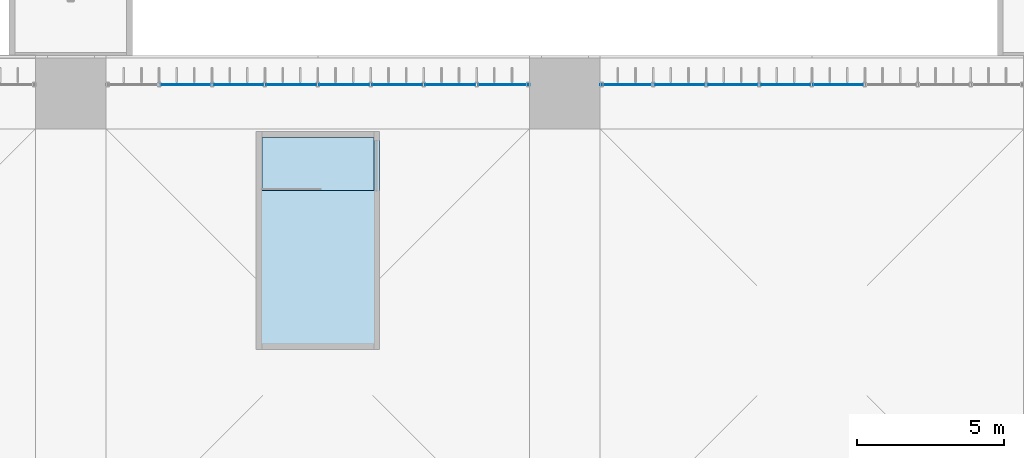
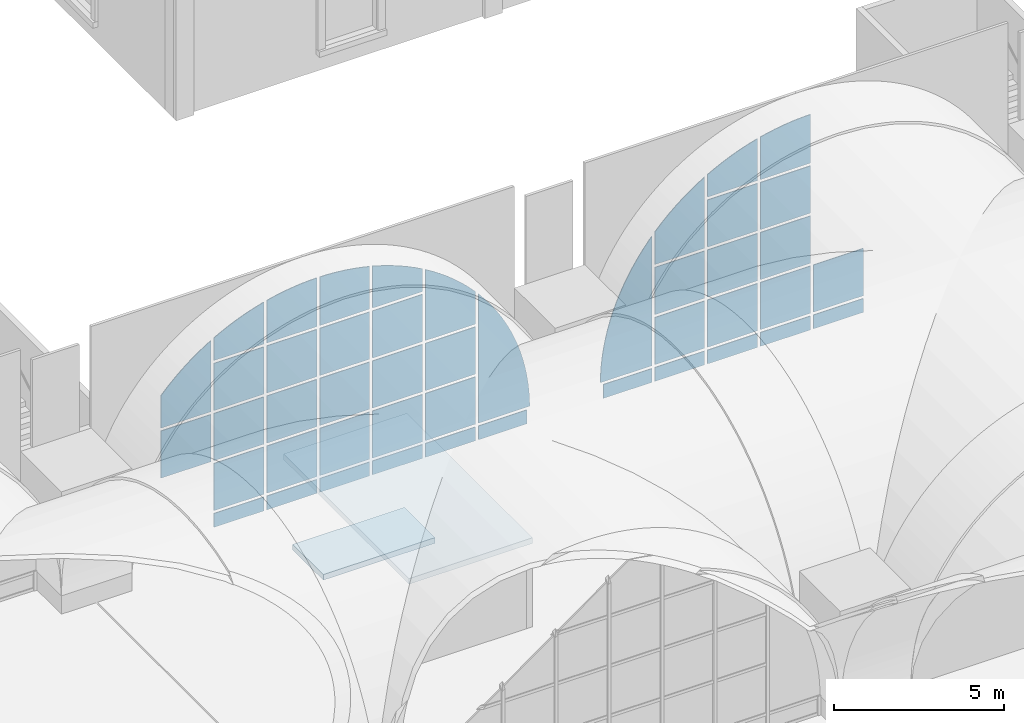
# One storey, part 86 of 169: 46 plates, 2 slabs, 2 elements without a shape of their own.
"""IFC4 building model written with IfcOpenShell, lengths in metres."""

from ifc_helpers import new_model, si_unit, direction, frame, origin, place, context, subcontext, project, spatial, polyline, outline, extrude, material, layer, layer_set, type_object, element, aggregate, save


model = new_model("IFC4")

# Units and contexts
model_context = context("Model", 3, precision=1e-05, world=origin(), true_north=direction((0.0, 1.0)))
body_context = subcontext(model_context, "Body", "Model", "MODEL_VIEW")
ifc_project = project(units=[si_unit("LENGTHUNIT", "METRE"), si_unit("AREAUNIT", "SQUARE_METRE"), si_unit("VOLUMEUNIT", "CUBIC_METRE"), si_unit("PLANEANGLEUNIT", "RADIAN"), si_unit("MASSUNIT", "GRAM", prefix="KILO")], contexts=[model_context])

# Site, building, storey
site_placement = place(None, origin())
site = spatial("IfcSite", under=ifc_project, at=site_placement, CompositionType="ELEMENT")
building_placement = place(site_placement, origin())
building = spatial("IfcBuilding", under=site, at=building_placement, Name="Verrick Yard Athletic Hall", CompositionType="ELEMENT")
storey_placement = place(building_placement, frame((0.0, 0.0, 4.39990234375)))
storey = spatial("IfcBuildingStorey", under=building, at=storey_placement, Name="L01", CompositionType="ELEMENT", Elevation=4.39990234375)

# Slabs
ifc_material_1 = material(Name="Concrete 35 MPa", Category="concrete")
ifc_layer_1 = layer(ifc_material_1, 0.199951171875)
ifc_layer_set_1 = layer_set([ifc_layer_1], Name="Core floor slab 200")
slab_type_1 = type_object("IfcSlabType", Name="Core floor slab 200", PredefinedType="FLOOR", material=ifc_layer_set_1)
slab_1_placement = place(storey_placement, frame((0.0, 0.0, -0.199951171875)))
element("IfcSlab", 1, at=slab_1_placement, inside=storey, type_object=slab_type_1, Name="CORE-PS-N2-NL-L01", PredefinedType="FLOOR", context=body_context, shape_type="SweptSolid", body=[
    extrude(outline(polyline([(80.10009765625, 51.300048828125), (80.10009765625, 49.5), (83.89990234375, 49.5), (83.89990234375, 51.300048828125), (80.10009765625, 51.300048828125)])), origin(), (0.0, 0.0, 1.0), 0.199951171875),
])
ifc_layer_2 = layer(ifc_material_1, 0.199951171875)
ifc_layer_set_2 = layer_set([ifc_layer_2], Name="Core roof slab 200")
slab_type_2 = type_object("IfcSlabType", Name="Core roof slab 200", PredefinedType="ROOF", material=ifc_layer_set_2)
slab_2_placement = place(storey_placement, frame((0.0, 0.0, 3.0)))
element("IfcSlab", 2, at=slab_2_placement, inside=storey, type_object=slab_type_2, Name="CORE-PS-N2-COVER", PredefinedType="ROOF", context=body_context, shape_type="SweptSolid", body=[
    extrude(outline(polyline([(79.89990234375, 44.10009765625), (84.10009765625, 44.10009765625), (84.10009765625, 51.5), (79.89990234375, 51.5), (79.89990234375, 44.10009765625)])), origin(), (0.0, 0.0, 1.0), 0.2001953125),
])

# Curtain wall, plates
ifc_material_2 = material(Name="Aluminium and glass curtain wall", Category="aluminium")
ifc_layer_3 = layer(ifc_material_2, 0.14990234375)
ifc_layer_set_3 = layer_set([ifc_layer_3], Name="Arcade glazing arch")
curtain_wall_type = type_object("IfcCurtainWallType", Name="Arcade glazing arch", PredefinedType="NOTDEFINED", material=ifc_layer_set_3)
curtain_wall_1_placement = place(storey_placement, origin())
curtain_wall_1 = element("IfcCurtainWall", 3, at=curtain_wall_1_placement, inside=storey, type_object=curtain_wall_type, Name="Arcade glazing N3", PredefinedType="NOTDEFINED")
ifc_material_3 = material(Name="Laminated glass 28 mm", Category="glass")
ifc_layer_4 = layer(ifc_material_3, 0.028076171875)
ifc_layer_set_4 = layer_set([ifc_layer_4], Name="Curtain wall glass panel")
plate_type = type_object("IfcPlateType", Name="Curtain wall glass panel", PredefinedType="CURTAIN_PANEL", material=ifc_layer_set_4)
plate_1_placement = place(storey_placement, frame((74.800048828125, 53.10009765625, 2.5009765625), z_axis=(0.0, 0.0, 1.0), x_axis=(1.0, 0.0, 0.0)))
plate_1 = element("IfcPlate", 4, at=plate_1_placement, type_object=plate_type, Name="Arcade glazing N3 panel 5", PredefinedType="CURTAIN_PANEL", context=body_context, shape_type="SweptSolid", body=[
    extrude(outline(polyline([(3.54931640625, 0.0), (3.54931640625, 1.6982421875), (1.850830078125, 1.6982421875), (1.850830078125, 0.0), (3.54931640625, 0.0)])), frame((0.0, 0.01416015625, 0.0), z_axis=(0.0, -1.0, 0.0), x_axis=(1.0, 0.0, 0.0)), (0.0, 0.0, 1.0), 0.028076171875),
])
plate_2_placement = place(storey_placement, frame((74.800048828125, 53.10009765625, 4.30078125), z_axis=(0.0, 0.0, 1.0), x_axis=(1.0, 0.0, 0.0)))
plate_2 = element("IfcPlate", 5, at=plate_2_placement, type_object=plate_type, Name="Arcade glazing N3 panel 6", PredefinedType="CURTAIN_PANEL", context=body_context, shape_type="SweptSolid", body=[
    extrude(outline(polyline([(3.54931640625, 2.553955078125), (3.331298828125, 2.421630859375), (3.0703125, 2.247314453125), (2.81689453125, 2.0615234375), (2.572021484375, 1.86474609375), (2.335693359375, 1.65771484375), (2.10888671875, 1.4404296875), (1.8916015625, 1.213623046875), (1.850830078125, 1.1669921875), (1.850830078125, 0.0), (3.54931640625, 0.0), (3.54931640625, 2.553955078125)])), frame((0.0, 0.01416015625, 0.0), z_axis=(0.0, -1.0, 0.0), x_axis=(1.0, 0.0, 0.0)), (0.0, 0.0, 1.0), 0.028076171875),
])
plate_3_placement = place(storey_placement, frame((74.800048828125, 53.10009765625, 0.101806640625), z_axis=(0.0, 0.0, 1.0), x_axis=(1.0, 0.0, 0.0)))
plate_3 = element("IfcPlate", 6, at=plate_3_placement, type_object=plate_type, Name="Arcade glazing N3 panel 7", PredefinedType="CURTAIN_PANEL", context=body_context, shape_type="SweptSolid", body=[
    extrude(outline(polyline([(5.34912109375, 0.0), (5.34912109375, 0.49755859375), (3.65087890625, 0.49755859375), (3.65087890625, 0.0), (5.34912109375, 0.0)])), frame((0.0, 0.01416015625, 0.0), z_axis=(0.0, -1.0, 0.0), x_axis=(1.0, 0.0, 0.0)), (0.0, 0.0, 1.0), 0.028076171875),
])
plate_4_placement = place(storey_placement, frame((74.800048828125, 53.10009765625, 0.700927734375), z_axis=(0.0, 0.0, 1.0), x_axis=(1.0, 0.0, 0.0)))
plate_4 = element("IfcPlate", 7, at=plate_4_placement, type_object=plate_type, Name="Arcade glazing N3 panel 8", PredefinedType="CURTAIN_PANEL", context=body_context, shape_type="SweptSolid", body=[
    extrude(outline(polyline([(5.34912109375, 0.0), (5.34912109375, 1.698486328125), (3.65087890625, 1.698486328125), (3.65087890625, 0.0), (5.34912109375, 0.0)])), frame((0.0, 0.01416015625, 0.0), z_axis=(0.0, -1.0, 0.0), x_axis=(1.0, 0.0, 0.0)), (0.0, 0.0, 1.0), 0.028076171875),
])
plate_5_placement = place(storey_placement, frame((74.800048828125, 53.10009765625, 2.5009765625), z_axis=(0.0, 0.0, 1.0), x_axis=(1.0, 0.0, 0.0)))
plate_5 = element("IfcPlate", 8, at=plate_5_placement, type_object=plate_type, Name="Arcade glazing N3 panel 9", PredefinedType="CURTAIN_PANEL", context=body_context, shape_type="SweptSolid", body=[
    extrude(outline(polyline([(5.34912109375, 0.0), (5.34912109375, 1.6982421875), (3.65087890625, 1.6982421875), (3.65087890625, 0.0), (5.34912109375, 0.0)])), frame((0.0, 0.01416015625, 0.0), z_axis=(0.0, -1.0, 0.0), x_axis=(1.0, 0.0, 0.0)), (0.0, 0.0, 1.0), 0.028076171875),
])
plate_6_placement = place(storey_placement, frame((74.800048828125, 53.10009765625, 4.30078125), z_axis=(0.0, 0.0, 1.0), x_axis=(1.0, 0.0, 0.0)))
plate_6 = element("IfcPlate", 9, at=plate_6_placement, type_object=plate_type, Name="Arcade glazing N3 panel 10", PredefinedType="CURTAIN_PANEL", context=body_context, shape_type="SweptSolid", body=[
    extrude(outline(polyline([(5.34912109375, 0.0), (5.34912109375, 1.698486328125), (3.65087890625, 1.698486328125), (3.65087890625, 0.0), (5.34912109375, 0.0)])), frame((0.0, 0.01416015625, 0.0), z_axis=(0.0, -1.0, 0.0), x_axis=(1.0, 0.0, 0.0)), (0.0, 0.0, 1.0), 0.028076171875),
])
plate_7_placement = place(storey_placement, frame((74.800048828125, 53.10009765625, 6.100830078125), z_axis=(0.0, 0.0, 1.0), x_axis=(1.0, 0.0, 0.0)))
plate_7 = element("IfcPlate", 10, at=plate_7_placement, type_object=plate_type, Name="Arcade glazing N3 panel 11", PredefinedType="CURTAIN_PANEL", context=body_context, shape_type="SweptSolid", body=[
    extrude(outline(polyline([(5.34912109375, 1.507080078125), (5.33642578125, 1.50390625), (5.034912109375, 1.416015625), (4.737548828125, 1.315185546875), (4.444580078125, 1.201171875), (4.156982421875, 1.07470703125), (3.87548828125, 0.935791015625), (3.65087890625, 0.8125), (3.65087890625, 0.0), (5.34912109375, 0.0), (5.34912109375, 1.507080078125)])), frame((0.0, 0.01416015625, 0.0), z_axis=(0.0, -1.0, 0.0), x_axis=(1.0, 0.0, 0.0)), (0.0, 0.0, 1.0), 0.028076171875),
])
plate_8_placement = place(storey_placement, frame((74.800048828125, 53.10009765625, 0.101806640625), z_axis=(0.0, 0.0, 1.0), x_axis=(1.0, 0.0, 0.0)))
plate_8 = element("IfcPlate", 11, at=plate_8_placement, type_object=plate_type, Name="Arcade glazing N3 panel 12", PredefinedType="CURTAIN_PANEL", context=body_context, shape_type="SweptSolid", body=[
    extrude(outline(polyline([(7.149169921875, 0.0), (7.149169921875, 0.49755859375), (5.45068359375, 0.49755859375), (5.45068359375, 0.0), (7.149169921875, 0.0)])), frame((0.0, 0.01416015625, 0.0), z_axis=(0.0, -1.0, 0.0), x_axis=(1.0, 0.0, 0.0)), (0.0, 0.0, 1.0), 0.028076171875),
])
plate_9_placement = place(storey_placement, frame((74.800048828125, 53.10009765625, 0.700927734375), z_axis=(0.0, 0.0, 1.0), x_axis=(1.0, 0.0, 0.0)))
plate_9 = element("IfcPlate", 12, at=plate_9_placement, type_object=plate_type, Name="Arcade glazing N3 panel 13", PredefinedType="CURTAIN_PANEL", context=body_context, shape_type="SweptSolid", body=[
    extrude(outline(polyline([(7.149169921875, 0.0), (7.149169921875, 1.698486328125), (5.45068359375, 1.698486328125), (5.45068359375, 0.0), (7.149169921875, 0.0)])), frame((0.0, 0.01416015625, 0.0), z_axis=(0.0, -1.0, 0.0), x_axis=(1.0, 0.0, 0.0)), (0.0, 0.0, 1.0), 0.028076171875),
])
plate_10_placement = place(storey_placement, frame((74.800048828125, 53.10009765625, 2.5009765625), z_axis=(0.0, 0.0, 1.0), x_axis=(1.0, 0.0, 0.0)))
plate_10 = element("IfcPlate", 13, at=plate_10_placement, type_object=plate_type, Name="Arcade glazing N3 panel 14", PredefinedType="CURTAIN_PANEL", context=body_context, shape_type="SweptSolid", body=[
    extrude(outline(polyline([(7.149169921875, 0.0), (7.149169921875, 1.6982421875), (5.45068359375, 1.6982421875), (5.45068359375, 0.0), (7.149169921875, 0.0)])), frame((0.0, 0.01416015625, 0.0), z_axis=(0.0, -1.0, 0.0), x_axis=(1.0, 0.0, 0.0)), (0.0, 0.0, 1.0), 0.028076171875),
])
plate_11_placement = place(storey_placement, frame((74.800048828125, 53.10009765625, 4.30078125), z_axis=(0.0, 0.0, 1.0), x_axis=(1.0, 0.0, 0.0)))
plate_11 = element("IfcPlate", 14, at=plate_11_placement, type_object=plate_type, Name="Arcade glazing N3 panel 15", PredefinedType="CURTAIN_PANEL", context=body_context, shape_type="SweptSolid", body=[
    extrude(outline(polyline([(7.149169921875, 0.0), (7.149169921875, 1.698486328125), (5.45068359375, 1.698486328125), (5.45068359375, 0.0), (7.149169921875, 0.0)])), frame((0.0, 0.01416015625, 0.0), z_axis=(0.0, -1.0, 0.0), x_axis=(1.0, 0.0, 0.0)), (0.0, 0.0, 1.0), 0.028076171875),
])
plate_12_placement = place(storey_placement, frame((74.800048828125, 53.10009765625, 6.100830078125), z_axis=(0.0, 0.0, 1.0), x_axis=(1.0, 0.0, 0.0)))
plate_12 = element("IfcPlate", 15, at=plate_12_placement, type_object=plate_type, Name="Arcade glazing N3 panel 16", PredefinedType="CURTAIN_PANEL", context=body_context, shape_type="SweptSolid", body=[
    extrude(outline(polyline([(7.149169921875, 1.748046875), (6.885986328125, 1.742431640625), (6.572509765625, 1.721923828125), (6.26025390625, 1.687744140625), (5.94970703125, 1.639892578125), (5.6416015625, 1.57861328125), (5.45068359375, 1.531982421875), (5.45068359375, 0.0), (7.149169921875, 0.0), (7.149169921875, 1.748046875)])), frame((0.0, 0.01416015625, 0.0), z_axis=(0.0, -1.0, 0.0), x_axis=(1.0, 0.0, 0.0)), (0.0, 0.0, 1.0), 0.028076171875),
])
plate_13_placement = place(storey_placement, frame((74.800048828125, 53.10009765625, 0.101806640625), z_axis=(0.0, 0.0, 1.0), x_axis=(1.0, 0.0, 0.0)))
plate_13 = element("IfcPlate", 16, at=plate_13_placement, type_object=plate_type, Name="Arcade glazing N3 panel 17", PredefinedType="CURTAIN_PANEL", context=body_context, shape_type="SweptSolid", body=[
    extrude(outline(polyline([(8.94921875, 0.0), (8.94921875, 0.49755859375), (7.250732421875, 0.49755859375), (7.250732421875, 0.0), (8.94921875, 0.0)])), frame((0.0, 0.01416015625, 0.0), z_axis=(0.0, -1.0, 0.0), x_axis=(1.0, 0.0, 0.0)), (0.0, 0.0, 1.0), 0.028076171875),
])
plate_14_placement = place(storey_placement, frame((74.800048828125, 53.10009765625, 0.700927734375), z_axis=(0.0, 0.0, 1.0), x_axis=(1.0, 0.0, 0.0)))
plate_14 = element("IfcPlate", 17, at=plate_14_placement, type_object=plate_type, Name="Arcade glazing N3 panel 18", PredefinedType="CURTAIN_PANEL", context=body_context, shape_type="SweptSolid", body=[
    extrude(outline(polyline([(8.94921875, 0.0), (8.94921875, 1.698486328125), (7.250732421875, 1.698486328125), (7.250732421875, 0.0), (8.94921875, 0.0)])), frame((0.0, 0.01416015625, 0.0), z_axis=(0.0, -1.0, 0.0), x_axis=(1.0, 0.0, 0.0)), (0.0, 0.0, 1.0), 0.028076171875),
])
plate_15_placement = place(storey_placement, frame((74.800048828125, 53.10009765625, 2.5009765625), z_axis=(0.0, 0.0, 1.0), x_axis=(1.0, 0.0, 0.0)))
plate_15 = element("IfcPlate", 18, at=plate_15_placement, type_object=plate_type, Name="Arcade glazing N3 panel 19", PredefinedType="CURTAIN_PANEL", context=body_context, shape_type="SweptSolid", body=[
    extrude(outline(polyline([(8.94921875, 0.0), (8.94921875, 1.6982421875), (7.250732421875, 1.6982421875), (7.250732421875, 0.0), (8.94921875, 0.0)])), frame((0.0, 0.01416015625, 0.0), z_axis=(0.0, -1.0, 0.0), x_axis=(1.0, 0.0, 0.0)), (0.0, 0.0, 1.0), 0.028076171875),
])
plate_16_placement = place(storey_placement, frame((74.800048828125, 53.10009765625, 4.30078125), z_axis=(0.0, 0.0, 1.0), x_axis=(1.0, 0.0, 0.0)))
plate_16 = element("IfcPlate", 19, at=plate_16_placement, type_object=plate_type, Name="Arcade glazing N3 panel 20", PredefinedType="CURTAIN_PANEL", context=body_context, shape_type="SweptSolid", body=[
    extrude(outline(polyline([(8.94921875, 0.0), (8.94921875, 1.698486328125), (7.250732421875, 1.698486328125), (7.250732421875, 0.0), (8.94921875, 0.0)])), frame((0.0, 0.01416015625, 0.0), z_axis=(0.0, -1.0, 0.0), x_axis=(1.0, 0.0, 0.0)), (0.0, 0.0, 1.0), 0.028076171875),
])
plate_17_placement = place(storey_placement, frame((74.800048828125, 53.10009765625, 6.100830078125), z_axis=(0.0, 0.0, 1.0), x_axis=(1.0, 0.0, 0.0)))
plate_17 = element("IfcPlate", 20, at=plate_17_placement, type_object=plate_type, Name="Arcade glazing N3 panel 21", PredefinedType="CURTAIN_PANEL", context=body_context, shape_type="SweptSolid", body=[
    extrude(outline(polyline([(8.94921875, 1.531982421875), (8.75830078125, 1.57861328125), (8.4501953125, 1.639892578125), (8.139892578125, 1.687744140625), (7.827392578125, 1.721923828125), (7.51416015625, 1.742431640625), (7.250732421875, 1.748046875), (7.250732421875, 0.0), (8.94921875, 0.0), (8.94921875, 1.531982421875)])), frame((0.0, 0.01416015625, 0.0), z_axis=(0.0, -1.0, 0.0), x_axis=(1.0, 0.0, 0.0)), (0.0, 0.0, 1.0), 0.028076171875),
])
plate_18_placement = place(storey_placement, frame((74.800048828125, 53.10009765625, 0.101806640625), z_axis=(0.0, 0.0, 1.0), x_axis=(1.0, 0.0, 0.0)))
plate_18 = element("IfcPlate", 21, at=plate_18_placement, type_object=plate_type, Name="Arcade glazing N3 panel 22", PredefinedType="CURTAIN_PANEL", context=body_context, shape_type="SweptSolid", body=[
    extrude(outline(polyline([(10.749267578125, 0.0), (10.749267578125, 0.49755859375), (9.05078125, 0.49755859375), (9.05078125, 0.0), (10.749267578125, 0.0)])), frame((0.0, 0.01416015625, 0.0), z_axis=(0.0, -1.0, 0.0), x_axis=(1.0, 0.0, 0.0)), (0.0, 0.0, 1.0), 0.028076171875),
])
plate_19_placement = place(storey_placement, frame((74.800048828125, 53.10009765625, 0.700927734375), z_axis=(0.0, 0.0, 1.0), x_axis=(1.0, 0.0, 0.0)))
plate_19 = element("IfcPlate", 22, at=plate_19_placement, type_object=plate_type, Name="Arcade glazing N3 panel 23", PredefinedType="CURTAIN_PANEL", context=body_context, shape_type="SweptSolid", body=[
    extrude(outline(polyline([(10.749267578125, 0.0), (10.749267578125, 1.698486328125), (9.05078125, 1.698486328125), (9.05078125, 0.0), (10.749267578125, 0.0)])), frame((0.0, 0.01416015625, 0.0), z_axis=(0.0, -1.0, 0.0), x_axis=(1.0, 0.0, 0.0)), (0.0, 0.0, 1.0), 0.028076171875),
])
plate_20_placement = place(storey_placement, frame((74.800048828125, 53.10009765625, 2.5009765625), z_axis=(0.0, 0.0, 1.0), x_axis=(1.0, 0.0, 0.0)))
plate_20 = element("IfcPlate", 23, at=plate_20_placement, type_object=plate_type, Name="Arcade glazing N3 panel 24", PredefinedType="CURTAIN_PANEL", context=body_context, shape_type="SweptSolid", body=[
    extrude(outline(polyline([(10.749267578125, 0.0), (10.749267578125, 1.6982421875), (9.05078125, 1.6982421875), (9.05078125, 0.0), (10.749267578125, 0.0)])), frame((0.0, 0.01416015625, 0.0), z_axis=(0.0, -1.0, 0.0), x_axis=(1.0, 0.0, 0.0)), (0.0, 0.0, 1.0), 0.028076171875),
])
plate_21_placement = place(storey_placement, frame((74.800048828125, 53.10009765625, 4.30078125), z_axis=(0.0, 0.0, 1.0), x_axis=(1.0, 0.0, 0.0)))
plate_21 = element("IfcPlate", 24, at=plate_21_placement, type_object=plate_type, Name="Arcade glazing N3 panel 25", PredefinedType="CURTAIN_PANEL", context=body_context, shape_type="SweptSolid", body=[
    extrude(outline(polyline([(10.749267578125, 0.0), (10.749267578125, 1.698486328125), (9.05078125, 1.698486328125), (9.05078125, 0.0), (10.749267578125, 0.0)])), frame((0.0, 0.01416015625, 0.0), z_axis=(0.0, -1.0, 0.0), x_axis=(1.0, 0.0, 0.0)), (0.0, 0.0, 1.0), 0.028076171875),
])
plate_22_placement = place(storey_placement, frame((74.800048828125, 53.10009765625, 6.100830078125), z_axis=(0.0, 0.0, 1.0), x_axis=(1.0, 0.0, 0.0)))
plate_22 = element("IfcPlate", 25, at=plate_22_placement, type_object=plate_type, Name="Arcade glazing N3 panel 26", PredefinedType="CURTAIN_PANEL", context=body_context, shape_type="SweptSolid", body=[
    extrude(outline(polyline([(10.749267578125, 0.8125), (10.524658203125, 0.935791015625), (10.242919921875, 1.07470703125), (9.955322265625, 1.201171875), (9.66259765625, 1.315185546875), (9.364990234375, 1.416015625), (9.0634765625, 1.50390625), (9.05078125, 1.507080078125), (9.05078125, 0.0), (10.749267578125, 0.0), (10.749267578125, 0.8125)])), frame((0.0, 0.01416015625, 0.0), z_axis=(0.0, -1.0, 0.0), x_axis=(1.0, 0.0, 0.0)), (0.0, 0.0, 1.0), 0.028076171875),
])
plate_23_placement = place(storey_placement, frame((74.800048828125, 53.10009765625, 0.101806640625), z_axis=(0.0, 0.0, 1.0), x_axis=(1.0, 0.0, 0.0)))
plate_23 = element("IfcPlate", 26, at=plate_23_placement, type_object=plate_type, Name="Arcade glazing N3 panel 27", PredefinedType="CURTAIN_PANEL", context=body_context, shape_type="SweptSolid", body=[
    extrude(outline(polyline([(12.54931640625, 0.0), (12.54931640625, 0.49755859375), (10.850830078125, 0.49755859375), (10.850830078125, 0.0), (12.54931640625, 0.0)])), frame((0.0, 0.01416015625, 0.0), z_axis=(0.0, -1.0, 0.0), x_axis=(1.0, 0.0, 0.0)), (0.0, 0.0, 1.0), 0.028076171875),
])
plate_24_placement = place(storey_placement, frame((74.800048828125, 53.10009765625, 0.700927734375), z_axis=(0.0, 0.0, 1.0), x_axis=(1.0, 0.0, 0.0)))
plate_24 = element("IfcPlate", 27, at=plate_24_placement, type_object=plate_type, Name="Arcade glazing N3 panel 28", PredefinedType="CURTAIN_PANEL", context=body_context, shape_type="SweptSolid", body=[
    extrude(outline(polyline([(12.54931640625, 0.0), (12.54931640625, 1.698486328125), (10.850830078125, 1.698486328125), (10.850830078125, 0.0), (12.54931640625, 0.0)])), frame((0.0, 0.01416015625, 0.0), z_axis=(0.0, -1.0, 0.0), x_axis=(1.0, 0.0, 0.0)), (0.0, 0.0, 1.0), 0.028076171875),
])
plate_25_placement = place(storey_placement, frame((74.800048828125, 53.10009765625, 2.5009765625), z_axis=(0.0, 0.0, 1.0), x_axis=(1.0, 0.0, 0.0)))
plate_25 = element("IfcPlate", 28, at=plate_25_placement, type_object=plate_type, Name="Arcade glazing N3 panel 29", PredefinedType="CURTAIN_PANEL", context=body_context, shape_type="SweptSolid", body=[
    extrude(outline(polyline([(12.54931640625, 0.0), (12.54931640625, 1.6982421875), (10.850830078125, 1.6982421875), (10.850830078125, 0.0), (12.54931640625, 0.0)])), frame((0.0, 0.01416015625, 0.0), z_axis=(0.0, -1.0, 0.0), x_axis=(1.0, 0.0, 0.0)), (0.0, 0.0, 1.0), 0.028076171875),
])
plate_26_placement = place(storey_placement, frame((74.800048828125, 53.10009765625, 4.30078125), z_axis=(0.0, 0.0, 1.0), x_axis=(1.0, 0.0, 0.0)))
plate_26 = element("IfcPlate", 29, at=plate_26_placement, type_object=plate_type, Name="Arcade glazing N3 panel 30", PredefinedType="CURTAIN_PANEL", context=body_context, shape_type="SweptSolid", body=[
    extrude(outline(polyline([(12.54931640625, 1.1669921875), (12.50830078125, 1.213623046875), (12.291259765625, 1.4404296875), (12.064208984375, 1.65771484375), (11.828125, 1.86474609375), (11.5830078125, 2.0615234375), (11.329833984375, 2.247314453125), (11.068603515625, 2.421630859375), (10.850830078125, 2.553955078125), (10.850830078125, 0.0), (12.54931640625, 0.0), (12.54931640625, 1.1669921875)])), frame((0.0, 0.01416015625, 0.0), z_axis=(0.0, -1.0, 0.0), x_axis=(1.0, 0.0, 0.0)), (0.0, 0.0, 1.0), 0.028076171875),
])
plate_27_placement = place(storey_placement, frame((74.800048828125, 53.10009765625, 0.101806640625), z_axis=(0.0, 0.0, 1.0), x_axis=(1.0, 0.0, 0.0)))
plate_27 = element("IfcPlate", 30, at=plate_27_placement, type_object=plate_type, Name="Arcade glazing N3 panel 31", PredefinedType="CURTAIN_PANEL", context=body_context, shape_type="SweptSolid", body=[
    extrude(outline(polyline([(14.2978515625, 0.0), (14.2978515625, 0.49755859375), (12.65087890625, 0.49755859375), (12.65087890625, 0.0), (14.2978515625, 0.0)])), frame((0.0, 0.01416015625, 0.0), z_axis=(0.0, -1.0, 0.0), x_axis=(1.0, 0.0, 0.0)), (0.0, 0.0, 1.0), 0.028076171875),
])
plate_28_placement = place(storey_placement, frame((74.800048828125, 53.10009765625, 0.700927734375), z_axis=(0.0, 0.0, 1.0), x_axis=(1.0, 0.0, 0.0)))
plate_28 = element("IfcPlate", 31, at=plate_28_placement, type_object=plate_type, Name="Arcade glazing N3 panel 32", PredefinedType="CURTAIN_PANEL", context=body_context, shape_type="SweptSolid", body=[
    extrude(outline(polyline([(14.39892578125, 0.0), (14.39306640625, 0.26318359375), (14.37255859375, 0.57666015625), (14.33837890625, 0.888916015625), (14.29052734375, 1.199462890625), (14.229248046875, 1.507568359375), (14.15478515625, 1.812744140625), (14.06689453125, 2.1142578125), (13.9658203125, 2.41162109375), (13.851806640625, 2.70458984375), (13.725341796875, 2.9921875), (13.58642578125, 3.273681640625), (13.435302734375, 3.549072265625), (13.2724609375, 3.81787109375), (13.097900390625, 4.078857421875), (12.912109375, 4.332275390625), (12.715576171875, 4.5771484375), (12.65087890625, 4.651123046875), (12.65087890625, 0.0), (14.39892578125, 0.0)])), frame((0.0, 0.01416015625, 0.0), z_axis=(0.0, -1.0, 0.0), x_axis=(1.0, 0.0, 0.0)), (0.0, 0.0, 1.0), 0.028076171875),
])
aggregate(curtain_wall_1, [plate_1, plate_2, plate_3, plate_4, plate_5, plate_6, plate_7, plate_8, plate_9, plate_10, plate_11, plate_12, plate_13, plate_14, plate_15, plate_16, plate_17, plate_18, plate_19, plate_20, plate_21, plate_22, plate_23, plate_24, plate_25, plate_26, plate_27, plate_28])

curtain_wall_2_placement = place(storey_placement, origin())
curtain_wall_2 = element("IfcCurtainWall", 32, at=curtain_wall_2_placement, inside=storey, type_object=curtain_wall_type, Name="Arcade glazing N4", PredefinedType="NOTDEFINED")
plate_29_placement = place(storey_placement, frame((91.60009765625, 53.10009765625, 0.101806640625), z_axis=(0.0, 0.0, 1.0), x_axis=(1.0, 0.0, 0.0)))
plate_29 = element("IfcPlate", 33, at=plate_29_placement, type_object=plate_type, Name="Arcade glazing N4 panel 1", PredefinedType="CURTAIN_PANEL", context=body_context, shape_type="SweptSolid", body=[
    extrude(outline(polyline([(1.749267578125, 0.0), (1.749267578125, 0.49755859375), (0.10205078125, 0.49755859375), (0.10205078125, 0.0), (1.749267578125, 0.0)])), frame((0.0, 0.01416015625, 0.0), z_axis=(0.0, -1.0, 0.0), x_axis=(1.0, 0.0, 0.0)), (0.0, 0.0, 1.0), 0.028076171875),
])
plate_30_placement = place(storey_placement, frame((91.60009765625, 53.10009765625, 0.700927734375), z_axis=(0.0, 0.0, 1.0), x_axis=(1.0, 0.0, 0.0)))
plate_30 = element("IfcPlate", 34, at=plate_30_placement, type_object=plate_type, Name="Arcade glazing N4 panel 2", PredefinedType="CURTAIN_PANEL", context=body_context, shape_type="SweptSolid", body=[
    extrude(outline(polyline([(1.749267578125, 4.651123046875), (1.6845703125, 4.5771484375), (1.48779296875, 4.332275390625), (1.302001953125, 4.078857421875), (1.127685546875, 3.81787109375), (0.964599609375, 3.549072265625), (0.8134765625, 3.273681640625), (0.674560546875, 2.9921875), (0.548095703125, 2.70458984375), (0.43408203125, 2.41162109375), (0.333251953125, 2.1142578125), (0.245361328125, 1.812744140625), (0.170654296875, 1.507568359375), (0.109375, 1.199462890625), (0.0615234375, 0.888916015625), (0.02734375, 0.57666015625), (0.0068359375, 0.26318359375), (0.001220703125, 0.0), (1.749267578125, 0.0), (1.749267578125, 4.651123046875)])), frame((0.0, 0.01416015625, 0.0), z_axis=(0.0, -1.0, 0.0), x_axis=(1.0, 0.0, 0.0)), (0.0, 0.0, 1.0), 0.028076171875),
])
plate_31_placement = place(storey_placement, frame((91.60009765625, 53.10009765625, 0.101806640625), z_axis=(0.0, 0.0, 1.0), x_axis=(1.0, 0.0, 0.0)))
plate_31 = element("IfcPlate", 35, at=plate_31_placement, type_object=plate_type, Name="Arcade glazing N4 panel 3", PredefinedType="CURTAIN_PANEL", context=body_context, shape_type="SweptSolid", body=[
    extrude(outline(polyline([(3.54931640625, 0.0), (3.54931640625, 0.49755859375), (1.850830078125, 0.49755859375), (1.850830078125, 0.0), (3.54931640625, 0.0)])), frame((0.0, 0.01416015625, 0.0), z_axis=(0.0, -1.0, 0.0), x_axis=(1.0, 0.0, 0.0)), (0.0, 0.0, 1.0), 0.028076171875),
])
plate_32_placement = place(storey_placement, frame((91.60009765625, 53.10009765625, 0.700927734375), z_axis=(0.0, 0.0, 1.0), x_axis=(1.0, 0.0, 0.0)))
plate_32 = element("IfcPlate", 36, at=plate_32_placement, type_object=plate_type, Name="Arcade glazing N4 panel 4", PredefinedType="CURTAIN_PANEL", context=body_context, shape_type="SweptSolid", body=[
    extrude(outline(polyline([(3.54931640625, 0.0), (3.54931640625, 1.698486328125), (1.850830078125, 1.698486328125), (1.850830078125, 0.0), (3.54931640625, 0.0)])), frame((0.0, 0.01416015625, 0.0), z_axis=(0.0, -1.0, 0.0), x_axis=(1.0, 0.0, 0.0)), (0.0, 0.0, 1.0), 0.028076171875),
])
plate_33_placement = place(storey_placement, frame((91.60009765625, 53.10009765625, 2.5009765625), z_axis=(0.0, 0.0, 1.0), x_axis=(1.0, 0.0, 0.0)))
plate_33 = element("IfcPlate", 37, at=plate_33_placement, type_object=plate_type, Name="Arcade glazing N4 panel 5", PredefinedType="CURTAIN_PANEL", context=body_context, shape_type="SweptSolid", body=[
    extrude(outline(polyline([(3.54931640625, 0.0), (3.54931640625, 1.6982421875), (1.850830078125, 1.6982421875), (1.850830078125, 0.0), (3.54931640625, 0.0)])), frame((0.0, 0.01416015625, 0.0), z_axis=(0.0, -1.0, 0.0), x_axis=(1.0, 0.0, 0.0)), (0.0, 0.0, 1.0), 0.028076171875),
])
plate_34_placement = place(storey_placement, frame((91.60009765625, 53.10009765625, 4.30078125), z_axis=(0.0, 0.0, 1.0), x_axis=(1.0, 0.0, 0.0)))
plate_34 = element("IfcPlate", 38, at=plate_34_placement, type_object=plate_type, Name="Arcade glazing N4 panel 6", PredefinedType="CURTAIN_PANEL", context=body_context, shape_type="SweptSolid", body=[
    extrude(outline(polyline([(3.54931640625, 2.553955078125), (3.331298828125, 2.421630859375), (3.0703125, 2.247314453125), (2.81689453125, 2.0615234375), (2.572021484375, 1.86474609375), (2.335693359375, 1.65771484375), (2.10888671875, 1.4404296875), (1.8916015625, 1.213623046875), (1.850830078125, 1.1669921875), (1.850830078125, 0.0), (3.54931640625, 0.0), (3.54931640625, 2.553955078125)])), frame((0.0, 0.01416015625, 0.0), z_axis=(0.0, -1.0, 0.0), x_axis=(1.0, 0.0, 0.0)), (0.0, 0.0, 1.0), 0.028076171875),
])
plate_35_placement = place(storey_placement, frame((91.60009765625, 53.10009765625, 0.101806640625), z_axis=(0.0, 0.0, 1.0), x_axis=(1.0, 0.0, 0.0)))
plate_35 = element("IfcPlate", 39, at=plate_35_placement, type_object=plate_type, Name="Arcade glazing N4 panel 7", PredefinedType="CURTAIN_PANEL", context=body_context, shape_type="SweptSolid", body=[
    extrude(outline(polyline([(5.34912109375, 0.0), (5.34912109375, 0.49755859375), (3.65087890625, 0.49755859375), (3.65087890625, 0.0), (5.34912109375, 0.0)])), frame((0.0, 0.01416015625, 0.0), z_axis=(0.0, -1.0, 0.0), x_axis=(1.0, 0.0, 0.0)), (0.0, 0.0, 1.0), 0.028076171875),
])
plate_36_placement = place(storey_placement, frame((91.60009765625, 53.10009765625, 0.700927734375), z_axis=(0.0, 0.0, 1.0), x_axis=(1.0, 0.0, 0.0)))
plate_36 = element("IfcPlate", 40, at=plate_36_placement, type_object=plate_type, Name="Arcade glazing N4 panel 8", PredefinedType="CURTAIN_PANEL", context=body_context, shape_type="SweptSolid", body=[
    extrude(outline(polyline([(5.34912109375, 0.0), (5.34912109375, 1.698486328125), (3.65087890625, 1.698486328125), (3.65087890625, 0.0), (5.34912109375, 0.0)])), frame((0.0, 0.01416015625, 0.0), z_axis=(0.0, -1.0, 0.0), x_axis=(1.0, 0.0, 0.0)), (0.0, 0.0, 1.0), 0.028076171875),
])
plate_37_placement = place(storey_placement, frame((91.60009765625, 53.10009765625, 2.5009765625), z_axis=(0.0, 0.0, 1.0), x_axis=(1.0, 0.0, 0.0)))
plate_37 = element("IfcPlate", 41, at=plate_37_placement, type_object=plate_type, Name="Arcade glazing N4 panel 9", PredefinedType="CURTAIN_PANEL", context=body_context, shape_type="SweptSolid", body=[
    extrude(outline(polyline([(5.34912109375, 0.0), (5.34912109375, 1.6982421875), (3.65087890625, 1.6982421875), (3.65087890625, 0.0), (5.34912109375, 0.0)])), frame((0.0, 0.01416015625, 0.0), z_axis=(0.0, -1.0, 0.0), x_axis=(1.0, 0.0, 0.0)), (0.0, 0.0, 1.0), 0.028076171875),
])
plate_38_placement = place(storey_placement, frame((91.60009765625, 53.10009765625, 4.30078125), z_axis=(0.0, 0.0, 1.0), x_axis=(1.0, 0.0, 0.0)))
plate_38 = element("IfcPlate", 42, at=plate_38_placement, type_object=plate_type, Name="Arcade glazing N4 panel 10", PredefinedType="CURTAIN_PANEL", context=body_context, shape_type="SweptSolid", body=[
    extrude(outline(polyline([(5.34912109375, 0.0), (5.34912109375, 1.698486328125), (3.65087890625, 1.698486328125), (3.65087890625, 0.0), (5.34912109375, 0.0)])), frame((0.0, 0.01416015625, 0.0), z_axis=(0.0, -1.0, 0.0), x_axis=(1.0, 0.0, 0.0)), (0.0, 0.0, 1.0), 0.028076171875),
])
plate_39_placement = place(storey_placement, frame((91.60009765625, 53.10009765625, 6.100830078125), z_axis=(0.0, 0.0, 1.0), x_axis=(1.0, 0.0, 0.0)))
plate_39 = element("IfcPlate", 43, at=plate_39_placement, type_object=plate_type, Name="Arcade glazing N4 panel 11", PredefinedType="CURTAIN_PANEL", context=body_context, shape_type="SweptSolid", body=[
    extrude(outline(polyline([(5.34912109375, 1.507080078125), (5.33642578125, 1.50390625), (5.034912109375, 1.416015625), (4.737548828125, 1.315185546875), (4.444580078125, 1.201171875), (4.156982421875, 1.07470703125), (3.87548828125, 0.935791015625), (3.65087890625, 0.8125), (3.65087890625, 0.0), (5.34912109375, 0.0), (5.34912109375, 1.507080078125)])), frame((0.0, 0.01416015625, 0.0), z_axis=(0.0, -1.0, 0.0), x_axis=(1.0, 0.0, 0.0)), (0.0, 0.0, 1.0), 0.028076171875),
])
plate_40_placement = place(storey_placement, frame((91.60009765625, 53.10009765625, 0.101806640625), z_axis=(0.0, 0.0, 1.0), x_axis=(1.0, 0.0, 0.0)))
plate_40 = element("IfcPlate", 44, at=plate_40_placement, type_object=plate_type, Name="Arcade glazing N4 panel 12", PredefinedType="CURTAIN_PANEL", context=body_context, shape_type="SweptSolid", body=[
    extrude(outline(polyline([(7.149169921875, 0.0), (7.149169921875, 0.49755859375), (5.45068359375, 0.49755859375), (5.45068359375, 0.0), (7.149169921875, 0.0)])), frame((0.0, 0.01416015625, 0.0), z_axis=(0.0, -1.0, 0.0), x_axis=(1.0, 0.0, 0.0)), (0.0, 0.0, 1.0), 0.028076171875),
])
plate_41_placement = place(storey_placement, frame((91.60009765625, 53.10009765625, 0.700927734375), z_axis=(0.0, 0.0, 1.0), x_axis=(1.0, 0.0, 0.0)))
plate_41 = element("IfcPlate", 45, at=plate_41_placement, type_object=plate_type, Name="Arcade glazing N4 panel 13", PredefinedType="CURTAIN_PANEL", context=body_context, shape_type="SweptSolid", body=[
    extrude(outline(polyline([(7.149169921875, 0.0), (7.149169921875, 1.698486328125), (5.45068359375, 1.698486328125), (5.45068359375, 0.0), (7.149169921875, 0.0)])), frame((0.0, 0.01416015625, 0.0), z_axis=(0.0, -1.0, 0.0), x_axis=(1.0, 0.0, 0.0)), (0.0, 0.0, 1.0), 0.028076171875),
])
plate_42_placement = place(storey_placement, frame((91.60009765625, 53.10009765625, 2.5009765625), z_axis=(0.0, 0.0, 1.0), x_axis=(1.0, 0.0, 0.0)))
plate_42 = element("IfcPlate", 46, at=plate_42_placement, type_object=plate_type, Name="Arcade glazing N4 panel 14", PredefinedType="CURTAIN_PANEL", context=body_context, shape_type="SweptSolid", body=[
    extrude(outline(polyline([(7.149169921875, 0.0), (7.149169921875, 1.6982421875), (5.45068359375, 1.6982421875), (5.45068359375, 0.0), (7.149169921875, 0.0)])), frame((0.0, 0.01416015625, 0.0), z_axis=(0.0, -1.0, 0.0), x_axis=(1.0, 0.0, 0.0)), (0.0, 0.0, 1.0), 0.028076171875),
])
plate_43_placement = place(storey_placement, frame((91.60009765625, 53.10009765625, 4.30078125), z_axis=(0.0, 0.0, 1.0), x_axis=(1.0, 0.0, 0.0)))
plate_43 = element("IfcPlate", 47, at=plate_43_placement, type_object=plate_type, Name="Arcade glazing N4 panel 15", PredefinedType="CURTAIN_PANEL", context=body_context, shape_type="SweptSolid", body=[
    extrude(outline(polyline([(7.149169921875, 0.0), (7.149169921875, 1.698486328125), (5.45068359375, 1.698486328125), (5.45068359375, 0.0), (7.149169921875, 0.0)])), frame((0.0, 0.01416015625, 0.0), z_axis=(0.0, -1.0, 0.0), x_axis=(1.0, 0.0, 0.0)), (0.0, 0.0, 1.0), 0.028076171875),
])
plate_44_placement = place(storey_placement, frame((91.60009765625, 53.10009765625, 6.100830078125), z_axis=(0.0, 0.0, 1.0), x_axis=(1.0, 0.0, 0.0)))
plate_44 = element("IfcPlate", 48, at=plate_44_placement, type_object=plate_type, Name="Arcade glazing N4 panel 16", PredefinedType="CURTAIN_PANEL", context=body_context, shape_type="SweptSolid", body=[
    extrude(outline(polyline([(7.149169921875, 1.748046875), (6.885986328125, 1.742431640625), (6.572509765625, 1.721923828125), (6.26025390625, 1.687744140625), (5.94970703125, 1.639892578125), (5.6416015625, 1.57861328125), (5.45068359375, 1.531982421875), (5.45068359375, 0.0), (7.149169921875, 0.0), (7.149169921875, 1.748046875)])), frame((0.0, 0.01416015625, 0.0), z_axis=(0.0, -1.0, 0.0), x_axis=(1.0, 0.0, 0.0)), (0.0, 0.0, 1.0), 0.028076171875),
])
plate_45_placement = place(storey_placement, frame((91.60009765625, 53.10009765625, 0.101806640625), z_axis=(0.0, 0.0, 1.0), x_axis=(1.0, 0.0, 0.0)))
plate_45 = element("IfcPlate", 49, at=plate_45_placement, type_object=plate_type, Name="Arcade glazing N4 panel 17", PredefinedType="CURTAIN_PANEL", context=body_context, shape_type="SweptSolid", body=[
    extrude(outline(polyline([(8.94921875, 0.0), (8.94921875, 0.49755859375), (7.250732421875, 0.49755859375), (7.250732421875, 0.0), (8.94921875, 0.0)])), frame((0.0, 0.01416015625, 0.0), z_axis=(0.0, -1.0, 0.0), x_axis=(1.0, 0.0, 0.0)), (0.0, 0.0, 1.0), 0.028076171875),
])
plate_46_placement = place(storey_placement, frame((91.60009765625, 53.10009765625, 0.700927734375), z_axis=(0.0, 0.0, 1.0), x_axis=(1.0, 0.0, 0.0)))
plate_46 = element("IfcPlate", 50, at=plate_46_placement, type_object=plate_type, Name="Arcade glazing N4 panel 18", PredefinedType="CURTAIN_PANEL", context=body_context, shape_type="SweptSolid", body=[
    extrude(outline(polyline([(8.94921875, 0.0), (8.94921875, 1.698486328125), (7.250732421875, 1.698486328125), (7.250732421875, 0.0), (8.94921875, 0.0)])), frame((0.0, 0.01416015625, 0.0), z_axis=(0.0, -1.0, 0.0), x_axis=(1.0, 0.0, 0.0)), (0.0, 0.0, 1.0), 0.028076171875),
])
aggregate(curtain_wall_2, [plate_29, plate_30, plate_31, plate_32, plate_33, plate_34, plate_35, plate_36, plate_37, plate_38, plate_39, plate_40, plate_41, plate_42, plate_43, plate_44, plate_45, plate_46])

save(model, "model.ifc")
